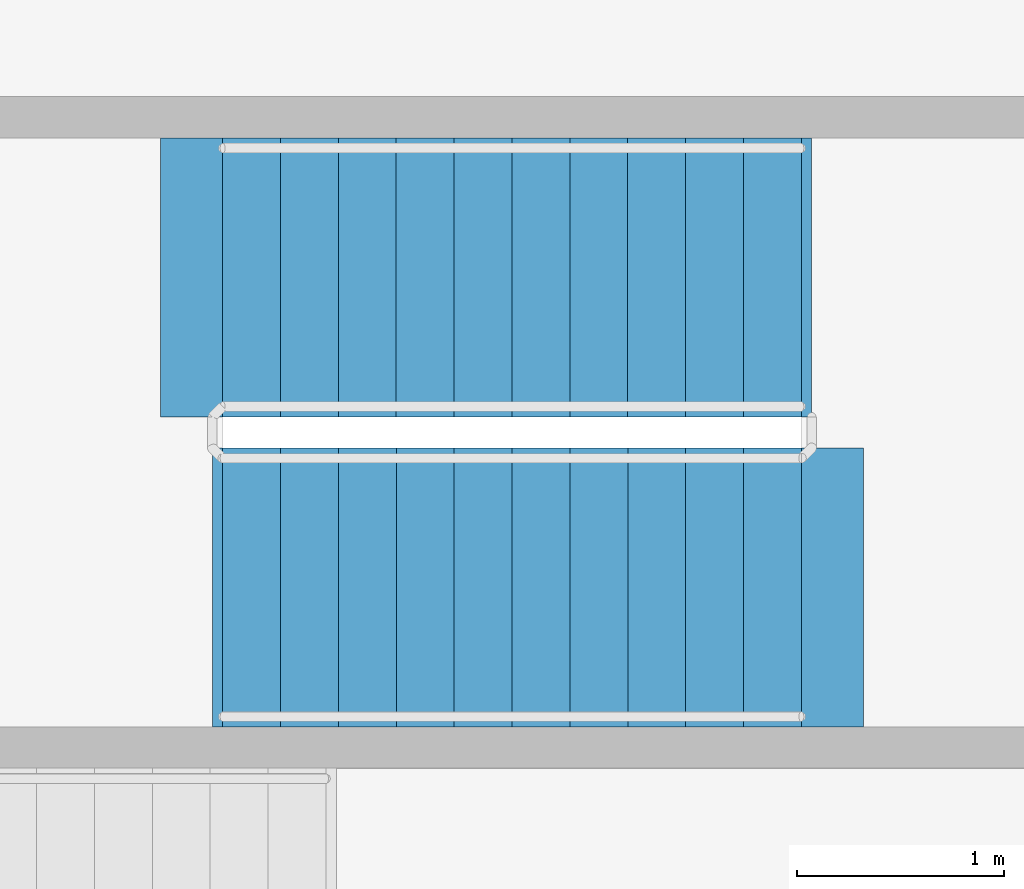
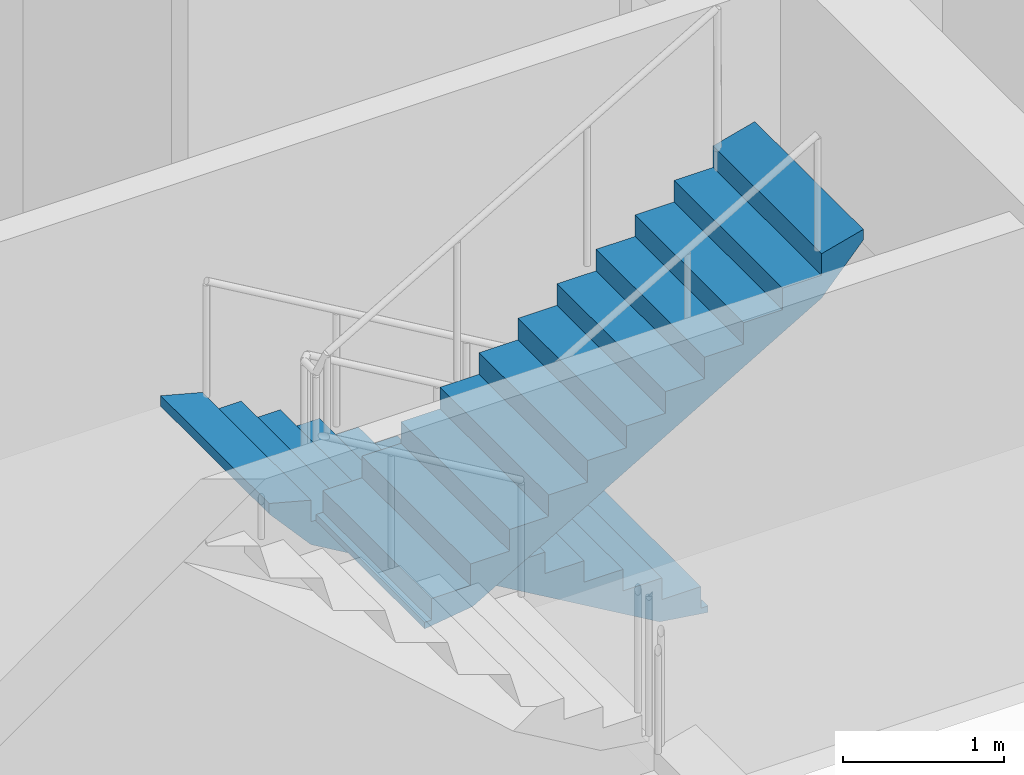
# One storey, part 15 of 19: 2 stair flights, 1 element without a shape of its own.
"""IFC4 building model written with IfcOpenShell, lengths in metres."""

from ifc_helpers import new_model, si_unit, direction, frame, origin, place, context, subcontext, project, spatial, polyline, outline, extrude, material, type_object, element, aggregate, save


model = new_model("IFC4")

# Units and contexts
model_context = context("Model", 3, precision=1e-05, world=origin(), true_north=direction((0.0, 1.0)))
body_context = subcontext(model_context, "Body", "Model", "MODEL_VIEW")
ifc_project = project(units=[si_unit("LENGTHUNIT", "METRE"), si_unit("AREAUNIT", "SQUARE_METRE"), si_unit("VOLUMEUNIT", "CUBIC_METRE"), si_unit("PLANEANGLEUNIT", "RADIAN"), si_unit("MASSUNIT", "GRAM", prefix="KILO")], contexts=[model_context])

# Site, building, storey
site_placement = place(None, origin())
site = spatial("IfcSite", under=ifc_project, at=site_placement, CompositionType="ELEMENT")
building_placement = place(site_placement, origin())
building = spatial("IfcBuilding", under=site, at=building_placement, Name="Zarbagh Exchange Tower", CompositionType="ELEMENT")
storey_placement = place(building_placement, frame((0.0, 0.0, 295.199951171875)))
storey = spatial("IfcBuildingStorey", under=building, at=storey_placement, Name="L72", CompositionType="ELEMENT", Elevation=295.199951171875)

# Stair, stair flights
ifc_material = material(Name="Concrete C40/50", Category="concrete")
stair_type = type_object("IfcStairType", Name="Exit stair two-flight half-turn", PredefinedType="HALF_TURN_STAIR", material=ifc_material)
stair_placement = place(storey_placement, origin())
stair = element("IfcStair", 1, at=stair_placement, inside=storey, type_object=stair_type, Name="exit stair ST1", PredefinedType="HALF_TURN_STAIR")
stair_flight_type = type_object("IfcStairFlightType", Name="Stair flight 1350 mm", PredefinedType="STRAIGHT", material=ifc_material)
stair_flight_1_placement = place(storey_placement, frame((2.64990234375, 17.375, 0.0), z_axis=(0.0, 0.0, 1.0), x_axis=(-1.0, 0.0, 0.0)))
stair_flight_1 = element("IfcStairFlight", 2, at=stair_flight_1_placement, type_object=stair_flight_type, Name="ST1 flight 1", NumberOfRisers=11, NumberOfTreads=10, PredefinedType="STRAIGHT", RiserHeight=0.163636364, TreadLength=0.28, context=body_context, shape_type="SweptSolid", body=[
    extrude(outline(polyline([(-0.050048828125, -0.050048828125), (-0.050048828125, 0.0), (0.0, 0.0), (0.0, 0.16357421875), (0.280029296875, 0.16357421875), (0.280029296875, 0.327392578125), (0.56005859375, 0.327392578125), (0.56005859375, 0.490966796875), (0.840087890625, 0.490966796875), (0.840087890625, 0.654541015625), (1.1201171875, 0.654541015625), (1.1201171875, 0.818115234375), (1.39990234375, 0.818115234375), (1.39990234375, 0.98193359375), (1.679931640625, 0.98193359375), (1.679931640625, 1.1455078125), (1.9599609375, 1.1455078125), (1.9599609375, 1.30908203125), (2.239990234375, 1.30908203125), (2.239990234375, 1.47265625), (2.52001953125, 1.47265625), (2.52001953125, 1.636474609375), (2.800048828125, 1.636474609375), (2.800048828125, 1.800048828125), (3.10009765625, 1.8798828125), (3.10009765625, 1.800048828125), (2.800048828125, 1.462646484375), (0.297119140625, 0.0), (-0.050048828125, -0.050048828125)])), frame((0.0, 0.675048828125, 0.0), z_axis=(0.0, -1.0, 0.0), x_axis=(1.0, 0.0, 0.0)), (0.0, 0.0, 1.0), 1.35009765625),
])
stair_flight_2_placement = place(storey_placement, frame((-0.14990234375, 15.875, 1.800048828125), z_axis=(0.0, 0.0, 1.0), x_axis=(1.0, 0.0, 0.0)))
stair_flight_2 = element("IfcStairFlight", 3, at=stair_flight_2_placement, type_object=stair_flight_type, Name="ST1 flight 2", NumberOfRisers=11, NumberOfTreads=10, PredefinedType="STRAIGHT", RiserHeight=0.163636364, TreadLength=0.28, context=body_context, shape_type="SweptSolid", body=[
    extrude(outline(polyline([(-0.050048828125, -0.050048828125), (-0.050048828125, 0.0), (0.0, 0.0), (0.0, 0.16357421875), (0.280029296875, 0.16357421875), (0.280029296875, 0.327392578125), (0.56005859375, 0.327392578125), (0.56005859375, 0.490966796875), (0.840087890625, 0.490966796875), (0.840087890625, 0.654541015625), (1.1201171875, 0.654541015625), (1.1201171875, 0.818115234375), (1.39990234375, 0.818115234375), (1.39990234375, 0.98193359375), (1.679931640625, 0.98193359375), (1.679931640625, 1.1455078125), (1.9599609375, 1.1455078125), (1.9599609375, 1.30908203125), (2.239990234375, 1.30908203125), (2.239990234375, 1.47265625), (2.52001953125, 1.47265625), (2.52001953125, 1.636474609375), (2.800048828125, 1.636474609375), (2.800048828125, 1.800048828125), (3.10009765625, 1.8798828125), (3.10009765625, 1.800048828125), (2.800048828125, 1.462646484375), (0.297119140625, 0.0), (-0.050048828125, -0.050048828125)])), frame((0.0, 0.675048828125, 0.0), z_axis=(0.0, -1.0, 0.0), x_axis=(1.0, 0.0, 0.0)), (0.0, 0.0, 1.0), 1.35009765625),
])
aggregate(stair, [stair_flight_1, stair_flight_2])

save(model, "model.ifc")
